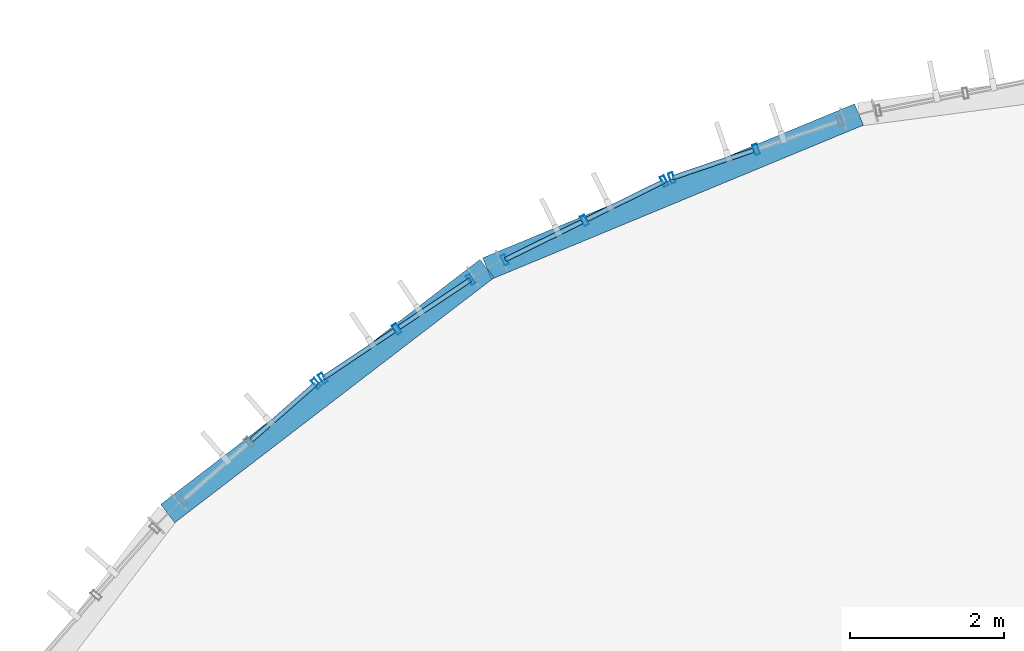
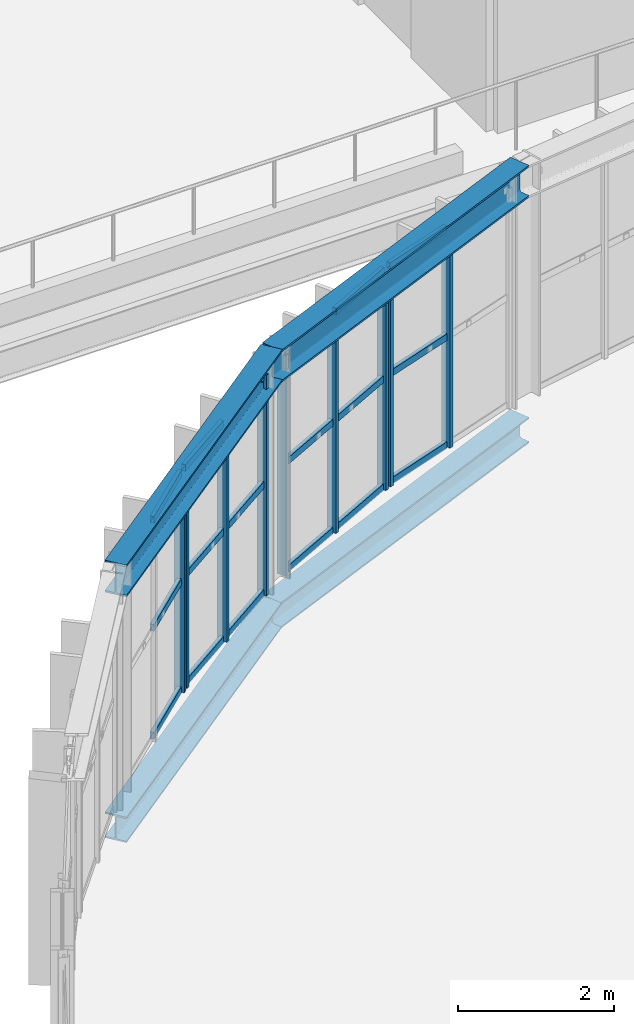
# One storey, part 52 of 152: 27 members, 4 beams, 4 elements without a shape of their own.
"""IFC4 building model written with IfcOpenShell, lengths in metres."""

from ifc_helpers import new_model, si_unit, derived_unit, direction, frame, origin, origin_2d, place, context, subcontext, project, spatial, hollow_rectangle, i_section, extrude, material, material_profile, profile_set, type_object, element, aggregate, save


model = new_model("IFC4")

# Units and contexts
model_context = context("Model", 3, precision=1e-05, world=origin(), true_north=direction((0.0, 1.0)))
body_context = subcontext(model_context, "Body", "Model", "MODEL_VIEW")
ifc_project = project(units=[si_unit("LENGTHUNIT", "METRE"), si_unit("AREAUNIT", "SQUARE_METRE"), si_unit("VOLUMEUNIT", "CUBIC_METRE"), si_unit("PLANEANGLEUNIT", "RADIAN"), si_unit("MASSUNIT", "GRAM", prefix="KILO"), si_unit("THERMODYNAMICTEMPERATUREUNIT", "KELVIN"), si_unit("TIMEUNIT", "SECOND"), derived_unit("THERMALTRANSMITTANCEUNIT", [(si_unit("MASSUNIT", "GRAM", prefix="KILO"), 1), (si_unit("THERMODYNAMICTEMPERATUREUNIT", "KELVIN"), -1), (si_unit("TIMEUNIT", "SECOND"), -3)])], contexts=[model_context])

# Site, building, storey
site_placement = place(None, origin())
site = spatial("IfcSite", under=ifc_project, at=site_placement, CompositionType="ELEMENT")
building_placement = place(site_placement, origin())
building = spatial("IfcBuilding", under=site, at=building_placement, Name="Cambertide Market Hall", CompositionType="ELEMENT")
storey_placement = place(building_placement, frame((0.0, 0.0, 5.39990234375)))
storey = spatial("IfcBuildingStorey", under=building, at=storey_placement, Name="L02", CompositionType="ELEMENT", Elevation=5.39990234375)

# Curtain wall, members
ifc_material_1 = material(Name="Marine Anodized Aluminium 6063-T6 AA25", Category="aluminium")
curtain_wall_type = type_object("IfcCurtainWallType", Name="Lantern Apse Chord Upper Curtain Wall", PredefinedType="USERDEFINED", material=ifc_material_1)
curtain_wall_1_placement = place(storey_placement, origin())
curtain_wall_1 = element("IfcCurtainWall", 1, at=curtain_wall_1_placement, inside=storey, type_object=curtain_wall_type, Name="Level 2 Curtain Wall CW-V1AW-L02-03", ObjectType="UNITIZED CURTAIN WALL", PredefinedType="USERDEFINED")
ifc_material_2 = material(Name="Champagne Marine Anodized Aluminium 6063-T6 AA25", Category="aluminium")
ifc_material_profile_1 = material_profile(ifc_material_2, hollow_rectangle(XDim=0.06005859375, YDim=0.139892578125, WallThickness=0.00341796875, at=origin_2d()), Name="ALU MULLION 60x140")
ifc_profile_set_1 = profile_set([ifc_material_profile_1], Name="Champagne Marine Anodized Aluminium 6063-T6 AA25")
member_type_1 = type_object("IfcMemberType", Name="Curtain Wall Mullion ALU MULLION 60x140", PredefinedType="MULLION", material=ifc_profile_set_1)
member_1_placement = place(storey_placement, frame((34.3984375, 90.495361328125, 0.0), z_axis=(0.0, 0.0, 1.0), x_axis=(0.94693012508, 0.32143947831, 0.0)))
member_1 = element("IfcMember", 2, at=member_1_placement, type_object=member_type_1, Name="CW-V1AW-L02-03 Mullion 1", PredefinedType="MULLION", context=body_context, shape_type="SweptSolid", body=[
    extrude(hollow_rectangle(XDim=0.06005859375, YDim=0.139892578125, WallThickness=0.00341796875, at=origin_2d()), origin(), (0.0, 0.0, 1.0), 3.4501953125),
])
member_2_placement = place(storey_placement, frame((35.490234375, 90.865966796875, 0.0), z_axis=(0.0, 0.0, 1.0), x_axis=(0.94693012508, 0.32143947831, 0.0)))
member_2 = element("IfcMember", 3, at=member_2_placement, type_object=member_type_1, Name="CW-V1AW-L02-03 Mullion 2", PredefinedType="MULLION", context=body_context, shape_type="SweptSolid", body=[
    extrude(hollow_rectangle(XDim=0.06005859375, YDim=0.139892578125, WallThickness=0.00341796875, at=origin_2d()), origin(), (0.0, 0.0, 1.0), 3.4501953125),
])

curtain_wall_2_placement = place(storey_placement, origin())
curtain_wall_2 = element("IfcCurtainWall", 4, at=curtain_wall_2_placement, inside=storey, type_object=curtain_wall_type, Name="Level 2 Curtain Wall CW-V1AW-L02-04", ObjectType="UNITIZED CURTAIN WALL", PredefinedType="USERDEFINED")
member_3_placement = place(storey_placement, frame((32.228759765625, 89.433349609375, 0.0), z_axis=(0.0, 0.0, 1.0), x_axis=(0.896872650645, 0.442288874522, 0.0)))
member_3 = element("IfcMember", 5, at=member_3_placement, type_object=member_type_1, Name="CW-V1AW-L02-04 Mullion 1", PredefinedType="MULLION", context=body_context, shape_type="SweptSolid", body=[
    extrude(hollow_rectangle(XDim=0.06005859375, YDim=0.139892578125, WallThickness=0.00341796875, at=origin_2d()), origin(), (0.0, 0.0, 1.0), 3.4501953125),
])
member_4_placement = place(storey_placement, frame((33.262939453125, 89.943359375, 0.0), z_axis=(0.0, 0.0, 1.0), x_axis=(0.896872650645, 0.442288874522, 0.0)))
member_4 = element("IfcMember", 6, at=member_4_placement, type_object=member_type_1, Name="CW-V1AW-L02-04 Mullion 2", PredefinedType="MULLION", context=body_context, shape_type="SweptSolid", body=[
    extrude(hollow_rectangle(XDim=0.06005859375, YDim=0.139892578125, WallThickness=0.00341796875, at=origin_2d()), origin(), (0.0, 0.0, 1.0), 3.4501953125),
])
member_5_placement = place(storey_placement, frame((34.297119140625, 90.453369140625, 0.0), z_axis=(0.0, 0.0, 1.0), x_axis=(0.896872650645, 0.442288874522, 0.0)))
member_5 = element("IfcMember", 7, at=member_5_placement, type_object=member_type_1, Name="CW-V1AW-L02-04 Mullion 3", PredefinedType="MULLION", context=body_context, shape_type="SweptSolid", body=[
    extrude(hollow_rectangle(XDim=0.06005859375, YDim=0.139892578125, WallThickness=0.00341796875, at=origin_2d()), origin(), (0.0, 0.0, 1.0), 3.4501953125),
])

curtain_wall_3_placement = place(storey_placement, origin())
curtain_wall_3 = element("IfcCurtainWall", 8, at=curtain_wall_3_placement, inside=storey, type_object=curtain_wall_type, Name="Level 2 Curtain Wall CW-V1AW-L02-05", ObjectType="UNITIZED CURTAIN WALL", PredefinedType="USERDEFINED")
member_6_placement = place(storey_placement, frame((29.87060546875, 87.897705078125, 0.0), z_axis=(0.0, 0.0, 1.0), x_axis=(0.831469709481, 0.555570087582, 0.0)))
member_6 = element("IfcMember", 9, at=member_6_placement, type_object=member_type_1, Name="CW-V1AW-L02-05 Mullion 1", PredefinedType="MULLION", context=body_context, shape_type="SweptSolid", body=[
    extrude(hollow_rectangle(XDim=0.06005859375, YDim=0.139892578125, WallThickness=0.00341796875, at=origin_2d()), origin(), (0.0, 0.0, 1.0), 3.4501953125),
])
member_7_placement = place(storey_placement, frame((30.829345703125, 88.538330078125, 0.0), z_axis=(0.0, 0.0, 1.0), x_axis=(0.831469709481, 0.555570087582, 0.0)))
member_7 = element("IfcMember", 10, at=member_7_placement, type_object=member_type_1, Name="CW-V1AW-L02-05 Mullion 2", PredefinedType="MULLION", context=body_context, shape_type="SweptSolid", body=[
    extrude(hollow_rectangle(XDim=0.06005859375, YDim=0.139892578125, WallThickness=0.00341796875, at=origin_2d()), origin(), (0.0, 0.0, 1.0), 3.4501953125),
])
member_8_placement = place(storey_placement, frame((31.7880859375, 89.178955078125, 0.0), z_axis=(0.0, 0.0, 1.0), x_axis=(0.831469709481, 0.555570087582, 0.0)))
member_8 = element("IfcMember", 11, at=member_8_placement, type_object=member_type_1, Name="CW-V1AW-L02-05 Mullion 3", PredefinedType="MULLION", context=body_context, shape_type="SweptSolid", body=[
    extrude(hollow_rectangle(XDim=0.06005859375, YDim=0.139892578125, WallThickness=0.00341796875, at=origin_2d()), origin(), (0.0, 0.0, 1.0), 3.4501953125),
])

# Curtain wall, member
curtain_wall_4_placement = place(storey_placement, origin())
curtain_wall_4 = element("IfcCurtainWall", 12, at=curtain_wall_4_placement, inside=storey, type_object=curtain_wall_type, Name="Level 2 Curtain Wall CW-V1AW-L02-06", ObjectType="UNITIZED CURTAIN WALL", PredefinedType="USERDEFINED")
member_9_placement = place(storey_placement, frame((29.783447265625, 87.830810546875, 0.0), z_axis=(0.0, 0.0, 1.0), x_axis=(0.751839834741, 0.659345784014, 0.0)))
member_9 = element("IfcMember", 13, at=member_9_placement, type_object=member_type_1, Name="CW-V1AW-L02-06 Mullion 3", PredefinedType="MULLION", context=body_context, shape_type="SweptSolid", body=[
    extrude(hollow_rectangle(XDim=0.06005859375, YDim=0.139892578125, WallThickness=0.00341796875, at=origin_2d()), origin(), (0.0, 0.0, 1.0), 3.4501953125),
])

# Member
ifc_material_3 = material(Name="Champagne Marine Anodized Aluminium 6063-T6 AA25", Category="aluminium")
ifc_material_profile_2 = material_profile(ifc_material_3, hollow_rectangle(XDim=0.06005859375, YDim=0.10498046875, WallThickness=0.0029296875, at=origin_2d()), Name="ALU TRANSOM 60x105")
ifc_profile_set_2 = profile_set([ifc_material_profile_2], Name="Champagne Marine Anodized Aluminium 6063-T6 AA25")
member_type_2 = type_object("IfcMemberType", Name="Curtain Wall Transom ALU TRANSOM 60x105", PredefinedType="USERDEFINED", material=ifc_profile_set_2)
member_10_placement = place(storey_placement, frame((34.403076171875, 90.496826171875, 0.03515625), z_axis=(0.946928413037, 0.321444521782, 0.0), x_axis=(-0.321444521782, 0.946928413037, 0.0)))
member_10 = element("IfcMember", 14, at=member_10_placement, type_object=member_type_2, Name="CW-V1AW-L02-03 Transom 1-1", ObjectType="TRANSOM", PredefinedType="USERDEFINED", context=body_context, shape_type="SweptSolid", body=[
    extrude(hollow_rectangle(XDim=0.06005859375, YDim=0.10498046875, WallThickness=0.0029296875, at=origin_2d()), origin(), (0.0, 0.0, 1.0), 1.108154296875),
])

member_11_placement = place(storey_placement, frame((34.403076171875, 90.496826171875, 1.72509765625), z_axis=(0.946928413037, 0.321444521782, 0.0), x_axis=(-0.321444521782, 0.946928413037, 0.0)))
member_11 = element("IfcMember", 15, at=member_11_placement, type_object=member_type_2, Name="CW-V1AW-L02-03 Transom 2-1", ObjectType="TRANSOM", PredefinedType="USERDEFINED", context=body_context, shape_type="SweptSolid", body=[
    extrude(hollow_rectangle(XDim=0.06005859375, YDim=0.10498046875, WallThickness=0.0029296875, at=origin_2d()), origin(), (0.0, 0.0, 1.0), 1.108154296875),
])

member_12_placement = place(storey_placement, frame((34.403076171875, 90.496826171875, 3.4150390625), z_axis=(0.946928413037, 0.321444521782, 0.0), x_axis=(-0.321444521782, 0.946928413037, 0.0)))
member_12 = element("IfcMember", 16, at=member_12_placement, type_object=member_type_2, Name="CW-V1AW-L02-03 Transom 3-1", ObjectType="TRANSOM", PredefinedType="USERDEFINED", context=body_context, shape_type="SweptSolid", body=[
    extrude(hollow_rectangle(XDim=0.06005859375, YDim=0.10498046875, WallThickness=0.0029296875, at=origin_2d()), origin(), (0.0, 0.0, 1.0), 1.108154296875),
])

aggregate(curtain_wall_1, [member_1, member_2, member_10, member_11, member_12])

member_13_placement = place(storey_placement, frame((32.233154296875, 89.435546875, 0.03515625), z_axis=(0.896924738521, 0.442183235129, 0.0), x_axis=(-0.442183235129, 0.896924738521, 0.0)))
member_13 = element("IfcMember", 17, at=member_13_placement, type_object=member_type_2, Name="CW-V1AW-L02-04 Transom 1-1", ObjectType="TRANSOM", PredefinedType="USERDEFINED", context=body_context, shape_type="SweptSolid", body=[
    extrude(hollow_rectangle(XDim=0.06005859375, YDim=0.10498046875, WallThickness=0.0029296875, at=origin_2d()), origin(), (0.0, 0.0, 1.0), 1.108154296875),
])

member_14_placement = place(storey_placement, frame((33.298828125, 89.9609375, 0.03515625), z_axis=(0.896794227794, 0.44244786472, 0.0), x_axis=(-0.44244786472, 0.896794227794, 0.0)))
member_14 = element("IfcMember", 18, at=member_14_placement, type_object=member_type_2, Name="CW-V1AW-L02-04 Transom 1-2", ObjectType="TRANSOM", PredefinedType="USERDEFINED", context=body_context, shape_type="SweptSolid", body=[
    extrude(hollow_rectangle(XDim=0.06005859375, YDim=0.10498046875, WallThickness=0.0029296875, at=origin_2d()), origin(), (0.0, 0.0, 1.0), 1.10791015625),
])

member_15_placement = place(storey_placement, frame((32.233154296875, 89.435546875, 1.72509765625), z_axis=(0.896924738521, 0.442183235129, 0.0), x_axis=(-0.442183235129, 0.896924738521, 0.0)))
member_15 = element("IfcMember", 19, at=member_15_placement, type_object=member_type_2, Name="CW-V1AW-L02-04 Transom 2-1", ObjectType="TRANSOM", PredefinedType="USERDEFINED", context=body_context, shape_type="SweptSolid", body=[
    extrude(hollow_rectangle(XDim=0.06005859375, YDim=0.10498046875, WallThickness=0.0029296875, at=origin_2d()), origin(), (0.0, 0.0, 1.0), 1.108154296875),
])

member_16_placement = place(storey_placement, frame((33.298828125, 89.9609375, 1.72509765625), z_axis=(0.896794227794, 0.44244786472, 0.0), x_axis=(-0.44244786472, 0.896794227794, 0.0)))
member_16 = element("IfcMember", 20, at=member_16_placement, type_object=member_type_2, Name="CW-V1AW-L02-04 Transom 2-2", ObjectType="TRANSOM", PredefinedType="USERDEFINED", context=body_context, shape_type="SweptSolid", body=[
    extrude(hollow_rectangle(XDim=0.06005859375, YDim=0.10498046875, WallThickness=0.0029296875, at=origin_2d()), origin(), (0.0, 0.0, 1.0), 1.10791015625),
])

member_17_placement = place(storey_placement, frame((32.233154296875, 89.435546875, 3.4150390625), z_axis=(0.896924738521, 0.442183235129, 0.0), x_axis=(-0.442183235129, 0.896924738521, 0.0)))
member_17 = element("IfcMember", 21, at=member_17_placement, type_object=member_type_2, Name="CW-V1AW-L02-04 Transom 3-1", ObjectType="TRANSOM", PredefinedType="USERDEFINED", context=body_context, shape_type="SweptSolid", body=[
    extrude(hollow_rectangle(XDim=0.06005859375, YDim=0.10498046875, WallThickness=0.0029296875, at=origin_2d()), origin(), (0.0, 0.0, 1.0), 1.108154296875),
])

member_18_placement = place(storey_placement, frame((33.298828125, 89.9609375, 3.4150390625), z_axis=(0.896794227794, 0.44244786472, 0.0), x_axis=(-0.44244786472, 0.896794227794, 0.0)))
member_18 = element("IfcMember", 22, at=member_18_placement, type_object=member_type_2, Name="CW-V1AW-L02-04 Transom 3-2", ObjectType="TRANSOM", PredefinedType="USERDEFINED", context=body_context, shape_type="SweptSolid", body=[
    extrude(hollow_rectangle(XDim=0.06005859375, YDim=0.10498046875, WallThickness=0.0029296875, at=origin_2d()), origin(), (0.0, 0.0, 1.0), 1.10791015625),
])

aggregate(curtain_wall_2, [member_3, member_4, member_5, member_13, member_14, member_15, member_16, member_17, member_18])

member_19_placement = place(storey_placement, frame((29.874755859375, 87.900390625, 0.03515625), z_axis=(0.831371680054, 0.55571677103, 0.0), x_axis=(-0.55571677103, 0.831371680054, 0.0)))
member_19 = element("IfcMember", 23, at=member_19_placement, type_object=member_type_2, Name="CW-V1AW-L02-05 Transom 1-1", ObjectType="TRANSOM", PredefinedType="USERDEFINED", context=body_context, shape_type="SweptSolid", body=[
    extrude(hollow_rectangle(XDim=0.06005859375, YDim=0.10498046875, WallThickness=0.0029296875, at=origin_2d()), origin(), (0.0, 0.0, 1.0), 1.10791015625),
])

member_20_placement = place(storey_placement, frame((30.862548828125, 88.560546875, 0.03515625), z_axis=(0.83154148111, 0.555462658685, 0.0), x_axis=(-0.555462658685, 0.83154148111, 0.0)))
member_20 = element("IfcMember", 24, at=member_20_placement, type_object=member_type_2, Name="CW-V1AW-L02-05 Transom 1-2", ObjectType="TRANSOM", PredefinedType="USERDEFINED", context=body_context, shape_type="SweptSolid", body=[
    extrude(hollow_rectangle(XDim=0.06005859375, YDim=0.10498046875, WallThickness=0.0029296875, at=origin_2d()), origin(), (0.0, 0.0, 1.0), 1.108154296875),
])

member_21_placement = place(storey_placement, frame((29.874755859375, 87.900390625, 1.72509765625), z_axis=(0.831371680054, 0.55571677103, 0.0), x_axis=(-0.55571677103, 0.831371680054, 0.0)))
member_21 = element("IfcMember", 25, at=member_21_placement, type_object=member_type_2, Name="CW-V1AW-L02-05 Transom 2-1", ObjectType="TRANSOM", PredefinedType="USERDEFINED", context=body_context, shape_type="SweptSolid", body=[
    extrude(hollow_rectangle(XDim=0.06005859375, YDim=0.10498046875, WallThickness=0.0029296875, at=origin_2d()), origin(), (0.0, 0.0, 1.0), 1.10791015625),
])

member_22_placement = place(storey_placement, frame((30.862548828125, 88.560546875, 1.72509765625), z_axis=(0.83154148111, 0.555462658685, 0.0), x_axis=(-0.555462658685, 0.83154148111, 0.0)))
member_22 = element("IfcMember", 26, at=member_22_placement, type_object=member_type_2, Name="CW-V1AW-L02-05 Transom 2-2", ObjectType="TRANSOM", PredefinedType="USERDEFINED", context=body_context, shape_type="SweptSolid", body=[
    extrude(hollow_rectangle(XDim=0.06005859375, YDim=0.10498046875, WallThickness=0.0029296875, at=origin_2d()), origin(), (0.0, 0.0, 1.0), 1.108154296875),
])

member_23_placement = place(storey_placement, frame((29.874755859375, 87.900390625, 3.4150390625), z_axis=(0.831371680054, 0.55571677103, 0.0), x_axis=(-0.55571677103, 0.831371680054, 0.0)))
member_23 = element("IfcMember", 27, at=member_23_placement, type_object=member_type_2, Name="CW-V1AW-L02-05 Transom 3-1", ObjectType="TRANSOM", PredefinedType="USERDEFINED", context=body_context, shape_type="SweptSolid", body=[
    extrude(hollow_rectangle(XDim=0.06005859375, YDim=0.10498046875, WallThickness=0.0029296875, at=origin_2d()), origin(), (0.0, 0.0, 1.0), 1.10791015625),
])

member_24_placement = place(storey_placement, frame((30.862548828125, 88.560546875, 3.4150390625), z_axis=(0.83154148111, 0.555462658685, 0.0), x_axis=(-0.555462658685, 0.83154148111, 0.0)))
member_24 = element("IfcMember", 28, at=member_24_placement, type_object=member_type_2, Name="CW-V1AW-L02-05 Transom 3-2", ObjectType="TRANSOM", PredefinedType="USERDEFINED", context=body_context, shape_type="SweptSolid", body=[
    extrude(hollow_rectangle(XDim=0.06005859375, YDim=0.10498046875, WallThickness=0.0029296875, at=origin_2d()), origin(), (0.0, 0.0, 1.0), 1.108154296875),
])

aggregate(curtain_wall_3, [member_6, member_7, member_8, member_19, member_20, member_21, member_22, member_23, member_24])

member_25_placement = place(storey_placement, frame((28.946533203125, 87.096923828125, 0.03515625), z_axis=(0.751866427049, 0.659315460062, 0.0), x_axis=(-0.659315460062, 0.751866427049, 0.0)))
member_25 = element("IfcMember", 29, at=member_25_placement, type_object=member_type_2, Name="CW-V1AW-L02-06 Transom 1-2", ObjectType="TRANSOM", PredefinedType="USERDEFINED", context=body_context, shape_type="SweptSolid", body=[
    extrude(hollow_rectangle(XDim=0.06005859375, YDim=0.10498046875, WallThickness=0.0029296875, at=origin_2d()), origin(), (0.0, 0.0, 1.0), 1.10791015625),
])

member_26_placement = place(storey_placement, frame((28.946533203125, 87.096923828125, 1.72509765625), z_axis=(0.751866427049, 0.659315460062, 0.0), x_axis=(-0.659315460062, 0.751866427049, 0.0)))
member_26 = element("IfcMember", 30, at=member_26_placement, type_object=member_type_2, Name="CW-V1AW-L02-06 Transom 2-2", ObjectType="TRANSOM", PredefinedType="USERDEFINED", context=body_context, shape_type="SweptSolid", body=[
    extrude(hollow_rectangle(XDim=0.06005859375, YDim=0.10498046875, WallThickness=0.0029296875, at=origin_2d()), origin(), (0.0, 0.0, 1.0), 1.10791015625),
])

member_27_placement = place(storey_placement, frame((28.946533203125, 87.096923828125, 3.4150390625), z_axis=(0.751866427049, 0.659315460062, 0.0), x_axis=(-0.659315460062, 0.751866427049, 0.0)))
member_27 = element("IfcMember", 31, at=member_27_placement, type_object=member_type_2, Name="CW-V1AW-L02-06 Transom 3-2", ObjectType="TRANSOM", PredefinedType="USERDEFINED", context=body_context, shape_type="SweptSolid", body=[
    extrude(hollow_rectangle(XDim=0.06005859375, YDim=0.10498046875, WallThickness=0.0029296875, at=origin_2d()), origin(), (0.0, 0.0, 1.0), 1.10791015625),
])

aggregate(curtain_wall_4, [member_9, member_25, member_26, member_27])

# Beams
ifc_material_4 = material(Name="Steel S355", Category="steel")
ifc_material_profile_3 = material_profile(ifc_material_4, i_section(OverallWidth=0.300048828125, OverallDepth=0.5, WebThickness=0.014404296875, FlangeThickness=0.028076171875, FilletRadius=0.027099609375, at=origin_2d()), Name="HEB 500")
ifc_profile_set_3 = profile_set([ifc_material_profile_3], Name="Steel S355")
beam_type_1 = type_object("IfcBeamType", Name="Exterior Steel Girder HEB 500", PredefinedType="BEAM", material=ifc_profile_set_3)
beam_1_placement = place(storey_placement, frame((36.82373046875, 91.318603515625, 3.4501953125), z_axis=(-0.923880054352, -0.382682172528, 0.0), x_axis=(0.382682172528, -0.923880054352, 0.0)))
element("IfcBeam", 32, at=beam_1_placement, inside=storey, type_object=beam_type_1, Name="Level 2 Beam EAVE-V1AW-02", PredefinedType="BEAM", context=body_context, shape_type="SweptSolid", body=[
    extrude(i_section(OverallWidth=0.300048828125, OverallDepth=0.5, WebThickness=0.014404296875, FlangeThickness=0.028076171875, FilletRadius=0.027099609375, at=origin_2d()), origin(), (0.0, 0.0, 1.0), 5.22119140625),
])
beam_2_placement = place(storey_placement, frame((32.0, 89.320556640625, 3.4501953125), z_axis=(-0.793341363525, -0.608777037117, 0.0), x_axis=(0.608777037117, -0.793341363525, 0.0)))
element("IfcBeam", 33, at=beam_2_placement, inside=storey, type_object=beam_type_1, Name="Level 2 Beam EAVE-V1AW-03", PredefinedType="BEAM", context=body_context, shape_type="SweptSolid", body=[
    extrude(i_section(OverallWidth=0.300048828125, OverallDepth=0.5, WebThickness=0.014404296875, FlangeThickness=0.028076171875, FilletRadius=0.027099609375, at=origin_2d()), origin(), (0.0, 0.0, 1.0), 5.220947265625),
])
ifc_material_5 = material(Name="Steel S355", Category="steel")
ifc_material_profile_4 = material_profile(ifc_material_5, i_section(OverallWidth=0.300048828125, OverallDepth=0.39990234375, WebThickness=0.013427734375, FlangeThickness=0.02392578125, FilletRadius=0.027099609375, at=origin_2d()), Name="HEB 400")
ifc_profile_set_4 = profile_set([ifc_material_profile_4], Name="Steel S355")
beam_type_2 = type_object("IfcBeamType", Name="Steel Girder HEB 400", PredefinedType="BEAM", material=ifc_profile_set_4)
beam_3_placement = place(storey_placement, frame((36.82373046875, 91.318603515625, -0.43994140625), z_axis=(-0.923880054352, -0.382682172528, 0.0), x_axis=(0.382682172528, -0.923880054352, 0.0)))
element("IfcBeam", 34, at=beam_3_placement, inside=storey, type_object=beam_type_2, Name="Level 2 Beam BM-V1AW-L02-2", PredefinedType="BEAM", context=body_context, shape_type="SweptSolid", body=[
    extrude(i_section(OverallWidth=0.300048828125, OverallDepth=0.39990234375, WebThickness=0.013427734375, FlangeThickness=0.02392578125, FilletRadius=0.027099609375, at=origin_2d()), origin(), (0.0, 0.0, 1.0), 5.22119140625),
])
beam_4_placement = place(storey_placement, frame((32.0, 89.320556640625, -0.43994140625), z_axis=(-0.793341363525, -0.608777037117, 0.0), x_axis=(0.608777037117, -0.793341363525, 0.0)))
element("IfcBeam", 35, at=beam_4_placement, inside=storey, type_object=beam_type_2, Name="Level 2 Beam BM-V1AW-L02-3", PredefinedType="BEAM", context=body_context, shape_type="SweptSolid", body=[
    extrude(i_section(OverallWidth=0.300048828125, OverallDepth=0.39990234375, WebThickness=0.013427734375, FlangeThickness=0.02392578125, FilletRadius=0.027099609375, at=origin_2d()), origin(), (0.0, 0.0, 1.0), 5.220947265625),
])

save(model, "model.ifc")
